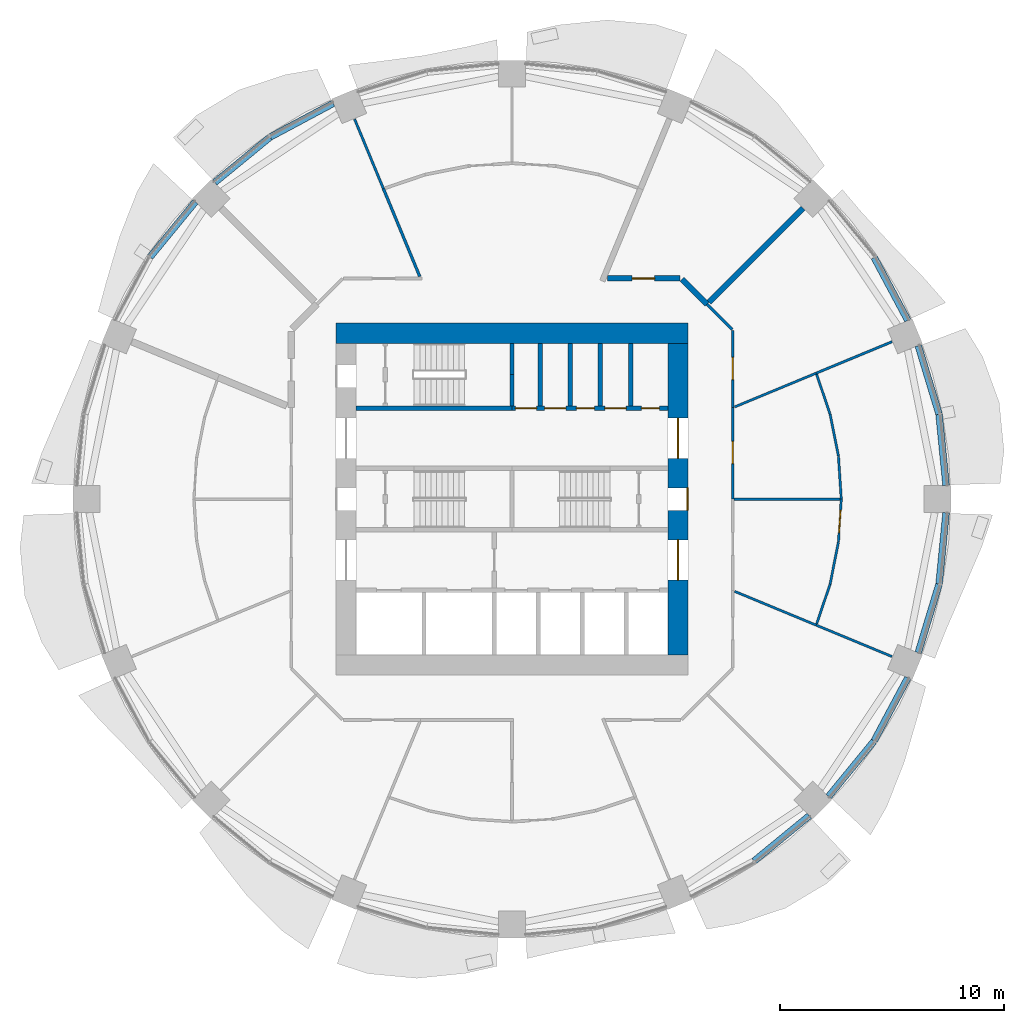
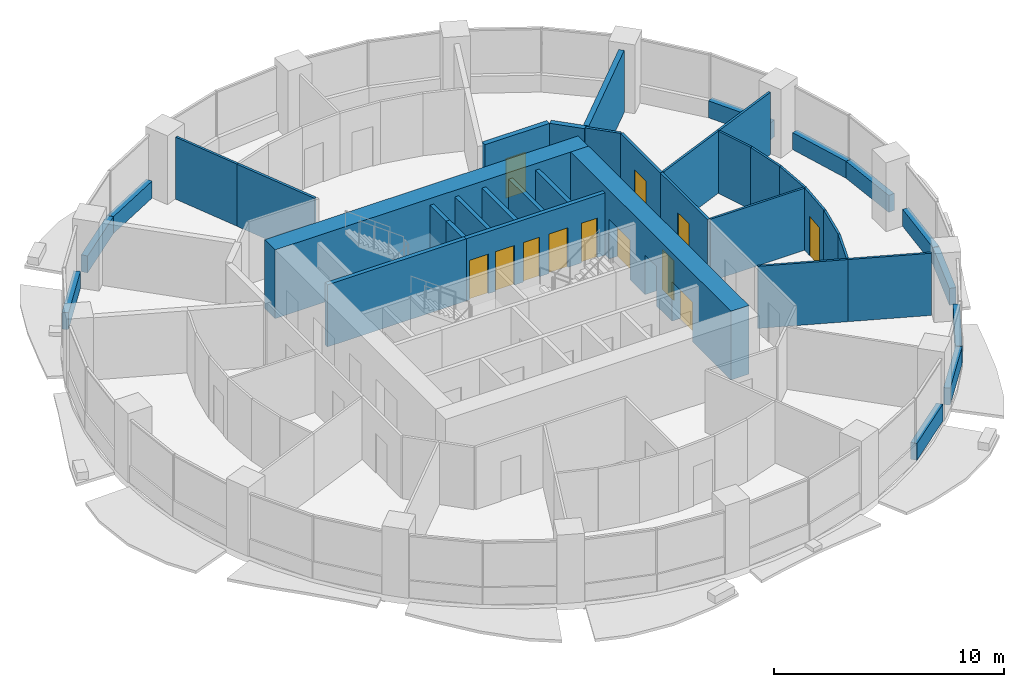
# One storey, part 10 of 15: 40 walls, 12 doors, 12 openings.
"""IFC4 building model written with IfcOpenShell, lengths in metres."""

from ifc_helpers import new_model, si_unit, direction, frame, frame_2d, origin, place, context, subcontext, project, spatial, rectangle, extrude, material, layer, layer_set, type_object, element, fill, save


model = new_model("IFC4")

# Units and contexts
model_context = context("Model", 3, precision=1e-05, world=origin(), true_north=direction((0.0, 1.0)))
body_context = subcontext(model_context, "Body", "Model", "MODEL_VIEW")
ifc_project = project(units=[si_unit("LENGTHUNIT", "METRE"), si_unit("AREAUNIT", "SQUARE_METRE"), si_unit("VOLUMEUNIT", "CUBIC_METRE"), si_unit("PLANEANGLEUNIT", "RADIAN"), si_unit("MASSUNIT", "GRAM", prefix="KILO")], contexts=[model_context])

# Site, building, storey
site_placement = place(None, origin())
site = spatial("IfcSite", under=ifc_project, at=site_placement, CompositionType="ELEMENT")
building_placement = place(site_placement, origin())
building = spatial("IfcBuilding", under=site, at=building_placement, Name="Polderwave Tower", CompositionType="ELEMENT")
storey_placement = place(building_placement, frame((0.0, 0.0, 48.10009765625)))
storey = spatial("IfcBuildingStorey", under=building, at=storey_placement, Name="L12", CompositionType="ELEMENT", Elevation=48.10009765625)

# Wall
ifc_material_1 = material(Name="Concrete C80/95", Category="concrete")
ifc_layer_1 = layer(ifc_material_1, 0.89990234375)
ifc_layer_set_1 = layer_set([ifc_layer_1], Name="CORE WALL 900 C80/95")
wall_type_1 = type_object("IfcWallType", Name="CORE WALL 900 C80/95", PredefinedType="SHEAR", material=ifc_layer_set_1)
wall_1_placement = place(storey_placement, frame((-7.8740234375, 7.424072265625, 0.0), z_axis=(0.0, 0.0, 1.0), x_axis=(1.0, 0.0, 0.0)))
element("IfcWall", 1, at=wall_1_placement, inside=storey, type_object=wall_type_1, Name="ST-CORE-L12-N", PredefinedType="SHEAR", context=body_context, shape_type="SweptSolid", body=[
    extrude(rectangle(XDim=15.748046875, YDim=0.89990234375, at=frame_2d((7.8740234375, 0.0))), origin(), (0.0, 0.0, 1.0), 3.64990234375),
])

# Wall, openings, doors
wall_2_placement = place(storey_placement, frame((7.424072265625, -6.97412109375, 0.0), z_axis=(0.0, 0.0, 1.0), x_axis=(0.0, 1.0, 0.0)))
wall_2 = element("IfcWall", 2, at=wall_2_placement, inside=storey, type_object=wall_type_1, Name="ST-CORE-L12-E", PredefinedType="SHEAR", context=body_context, shape_type="SweptSolid", body=[
    extrude(rectangle(XDim=13.9482421875, YDim=0.89990234375, at=frame_2d((6.97412109375, 0.0))), origin(), (0.0, 0.0, 1.0), 3.64990234375),
])
opening_1_placement = place(wall_2_placement, frame((6.47412109375, 0.0, 0.0)))
opening_1 = element("IfcOpeningElement", 3, at=opening_1_placement, cuts=wall_2, Name="Opening L12-D23", PredefinedType="OPENING", context=body_context, shape_type="SweptSolid", body=[
    extrude(rectangle(XDim=1.0, YDim=2.10009765625, at=frame_2d((0.5, 1.050048828125))), frame((0.0, 0.4599609375, 0.0), z_axis=(0.0, -1.0, 0.0), x_axis=(1.0, 0.0, 0.0)), (0.0, 0.0, 1.0), 0.919921875),
])
opening_2_placement = place(wall_2_placement, frame((3.349609375, 0.0, 0.0)))
opening_2 = element("IfcOpeningElement", 4, at=opening_2_placement, cuts=wall_2, Name="Opening L12-D24", PredefinedType="OPENING", context=body_context, shape_type="SweptSolid", body=[
    extrude(rectangle(XDim=1.800048828125, YDim=2.10009765625, at=frame_2d((0.89990234375, 1.050048828125))), frame((0.0, 0.4599609375, 0.0), z_axis=(0.0, -1.0, 0.0), x_axis=(1.0, 0.0, 0.0)), (0.0, 0.0, 1.0), 0.919921875),
])
opening_3_placement = place(wall_2_placement, frame((8.798583984375, 0.0, 0.0)))
opening_3 = element("IfcOpeningElement", 5, at=opening_3_placement, cuts=wall_2, Name="Opening L12-D25", PredefinedType="OPENING", context=body_context, shape_type="SweptSolid", body=[
    extrude(rectangle(XDim=1.800048828125, YDim=2.10009765625, at=frame_2d((0.89990234375, 1.050048828125))), frame((0.0, 0.4599609375, 0.0), z_axis=(0.0, -1.0, 0.0), x_axis=(1.0, 0.0, 0.0)), (0.0, 0.0, 1.0), 0.919921875),
])
ifc_material_2 = material(Name="Steel fire door", Category="steel")
door_type_1 = type_object("IfcDoorType", Name="Lobby entry door pair 1800", OperationType="DOUBLE_DOOR_SINGLE_SWING", PredefinedType="DOOR", material=ifc_material_2)
door_1_placement = place(opening_2_placement, frame((1.800048828125, 0.0, 0.0), z_axis=(0.0, 0.0, 1.0), x_axis=(-1.0, 0.0, 0.0)))
door_1 = element("IfcDoor", 6, at=door_1_placement, inside=storey, type_object=door_type_1, Name="South lobby entry door", OperationType="DOUBLE_DOOR_SINGLE_SWING", OverallHeight=2.10009765625, OverallWidth=1.800048828125, PredefinedType="DOOR", context=body_context, shape_type="SweptSolid", body=[
    extrude(rectangle(XDim=1.800048828125, YDim=2.10009765625, at=frame_2d((0.89990234375, 1.050048828125))), frame((0.0, 0.02490234375, 0.0), z_axis=(0.0, -1.0, 0.0), x_axis=(1.0, 0.0, 0.0)), (0.0, 0.0, 1.0), 0.050048828125),
])
fill(opening_2, door_1)
door_2_placement = place(opening_3_placement, frame((1.800048828125, 0.0, 0.0), z_axis=(0.0, 0.0, 1.0), x_axis=(-1.0, 0.0, 0.0)))
door_2 = element("IfcDoor", 7, at=door_2_placement, inside=storey, type_object=door_type_1, Name="North lobby entry door", OperationType="DOUBLE_DOOR_SINGLE_SWING", OverallHeight=2.10009765625, OverallWidth=1.800048828125, PredefinedType="DOOR", context=body_context, shape_type="SweptSolid", body=[
    extrude(rectangle(XDim=1.800048828125, YDim=2.10009765625, at=frame_2d((0.89990234375, 1.050048828125))), frame((0.0, 0.02490234375, 0.0), z_axis=(0.0, -1.0, 0.0), x_axis=(1.0, 0.0, 0.0)), (0.0, 0.0, 1.0), 0.050048828125),
])
fill(opening_3, door_2)
door_type_2 = type_object("IfcDoorType", Name="Stair door 1000", OperationType="NOTDEFINED", PredefinedType="DOOR", material=ifc_material_2)
door_3_placement = place(opening_1_placement, frame((1.0, 0.0, 0.0), z_axis=(0.0, 0.0, 1.0), x_axis=(-1.0, 0.0, 0.0)))
door_3 = element("IfcDoor", 8, at=door_3_placement, inside=storey, type_object=door_type_2, Name="Stair B entry door", OperationType="SINGLE_SWING_LEFT", OverallHeight=2.10009765625, OverallWidth=1.0, PredefinedType="DOOR", context=body_context, shape_type="SweptSolid", body=[
    extrude(rectangle(XDim=1.0, YDim=2.10009765625, at=frame_2d((0.5, 1.050048828125))), frame((0.0, 0.4501953125, 0.0), z_axis=(0.0, -1.0, 0.0), x_axis=(1.0, 0.0, 0.0)), (0.0, 0.0, 1.0), 0.050048828125),
])
fill(opening_1, door_3)

# Walls
ifc_material_3 = material(Name="Concrete C50/60 (board-marked)", Category="concrete")
ifc_layer_2 = layer(ifc_material_3, 0.300048828125)
ifc_layer_set_2 = layer_set([ifc_layer_2], Name="Concrete spandrel upstand C50/60")
wall_type_2 = type_object("IfcWallType", Name="Concrete spandrel upstand C50/60", PredefinedType="SOLIDWALL", material=ifc_layer_set_2)
wall_3_placement = place(storey_placement, frame((19.41943359375, 0.61279296875, 0.0), z_axis=(0.0, 0.0, 1.0), x_axis=(-0.097880808755, 0.995198144732, 0.0)))
element("IfcWall", 9, at=wall_3_placement, inside=storey, type_object=wall_type_2, Name="Spandrel L12 1a", PredefinedType="SOLIDWALL", context=body_context, shape_type="SweptSolid", body=[
    extrude(rectangle(XDim=3.187744140625, YDim=0.300048828125, at=frame_2d((1.59375, 0.0))), origin(), (0.0, 0.0, 1.0), 0.89990234375),
])
wall_4_placement = place(storey_placement, frame((19.1015625, 3.814453125, 0.0), z_axis=(0.0, 0.0, 1.0), x_axis=(-0.290585541792, 0.956849017819, 0.0)))
element("IfcWall", 10, at=wall_4_placement, inside=storey, type_object=wall_type_2, Name="Spandrel L12 1b", PredefinedType="SOLIDWALL", context=body_context, shape_type="SweptSolid", body=[
    extrude(rectangle(XDim=3.1875, YDim=0.300048828125, at=frame_2d((1.59375, 0.0))), origin(), (0.0, 0.0, 1.0), 0.89990234375),
])
for number, where, z_axis, x_axis, name in (
    (11, (17.705810546875, 7.998291015625, 0.0), (0.0, 0.0, 1.0), (-0.471260138764, 0.881994263934, 0.0), "Spandrel L12 2a"),
    (12, (-7.998291015625, 17.705810546875, 0.0), (0.0, 0.0, 1.0), (-0.881994263934, -0.471260138764, 0.0), "Spandrel L12 6a"),
):
    element("IfcWall", number, at=place(storey_placement, frame(where, z_axis=z_axis, x_axis=x_axis)), inside=storey, type_object=wall_type_2, Name=name, PredefinedType="SOLIDWALL", context=body_context, shape_type="SweptSolid", body=[
        extrude(rectangle(XDim=3.1865234375, YDim=0.300048828125, at=frame_2d((1.59326171875, 0.0))), origin(), (0.0, 0.0, 1.0), 0.89990234375),
    ])
for number, where, z_axis, x_axis, name in (
    (13, (-10.83349609375, 16.1875, 0.0), (0.0, 0.0, 1.0), (-0.773144618958, -0.634229767652, 0.0), "Spandrel L12 6b"),
    (14, (-14.16552734375, 13.29833984375, 0.0), (0.0, 0.0, 1.0), (-0.634229767652, -0.773144618958, 0.0), "Spandrel L12 7a"),
    (15, (10.83349609375, -16.1875, 0.0), (0.0, 0.0, 1.0), (0.773144618958, 0.634229767652, 0.0), "Spandrel L12 14b"),
    (16, (14.16552734375, -13.29833984375, 0.0), (0.0, 0.0, 1.0), (0.634229767652, 0.773144618958, 0.0), "Spandrel L12 15a"),
):
    element("IfcWall", number, at=place(storey_placement, frame(where, z_axis=z_axis, x_axis=x_axis)), inside=storey, type_object=wall_type_2, Name=name, PredefinedType="SOLIDWALL", context=body_context, shape_type="SweptSolid", body=[
        extrude(rectangle(XDim=3.18798828125, YDim=0.300048828125, at=frame_2d((1.593994140625, 0.0))), origin(), (0.0, 0.0, 1.0), 0.89990234375),
    ])
wall_5_placement = place(storey_placement, frame((16.2041015625, -10.808837890625, 0.0), z_axis=(0.0, 0.0, 1.0), x_axis=(0.471260138764, 0.881994263934, 0.0)))
element("IfcWall", 17, at=wall_5_placement, inside=storey, type_object=wall_type_2, Name="Spandrel L12 15b", PredefinedType="SOLIDWALL", context=body_context, shape_type="SweptSolid", body=[
    extrude(rectangle(XDim=3.1865234375, YDim=0.300048828125, at=frame_2d((1.59326171875, 0.0))), origin(), (0.0, 0.0, 1.0), 0.89990234375),
])
wall_6_placement = place(storey_placement, frame((18.17529296875, -6.864501953125, 0.0), z_axis=(0.0, 0.0, 1.0), x_axis=(0.290585541792, 0.956849017819, 0.0)))
element("IfcWall", 18, at=wall_6_placement, inside=storey, type_object=wall_type_2, Name="Spandrel L12 16a", PredefinedType="SOLIDWALL", context=body_context, shape_type="SweptSolid", body=[
    extrude(rectangle(XDim=3.1875, YDim=0.300048828125, at=frame_2d((1.59375, 0.0))), origin(), (0.0, 0.0, 1.0), 0.89990234375),
])
wall_7_placement = place(storey_placement, frame((19.107421875, -3.78515625, 0.0), z_axis=(0.0, 0.0, 1.0), x_axis=(0.097880808755, 0.995198144732, 0.0)))
element("IfcWall", 19, at=wall_7_placement, inside=storey, type_object=wall_type_2, Name="Spandrel L12 16b", PredefinedType="SOLIDWALL", context=body_context, shape_type="SweptSolid", body=[
    extrude(rectangle(XDim=3.187744140625, YDim=0.300048828125, at=frame_2d((1.59375, 0.0))), origin(), (0.0, 0.0, 1.0), 0.89990234375),
])
ifc_material_4 = material(Name="Gypsum board partition")
ifc_layer_3 = layer(ifc_material_4, 0.199951171875)
ifc_layer_set_3 = layer_set([ifc_layer_3], Name="Core room partition 200")
wall_type_3 = type_object("IfcWallType", Name="Core room partition 200", PredefinedType="PARTITIONING", material=ifc_layer_set_3)
for number, where, z_axis, x_axis, name in (
    (20, (1.260009765625, 4.174072265625, 0.0), (0.0, 0.0, 1.0), (0.0, 1.0, 0.0), "L12 room partition N1"),
    (21, (2.608642578125, 4.174072265625, 0.0), (0.0, 0.0, 1.0), (0.0, 1.0, 0.0), "L12 room partition N2"),
    (22, (3.95703125, 4.174072265625, 0.0), (0.0, 0.0, 1.0), (0.0, 1.0, 0.0), "L12 room partition N3"),
):
    element("IfcWall", number, at=place(storey_placement, frame(where, z_axis=z_axis, x_axis=x_axis)), inside=storey, type_object=wall_type_3, Name=name, PredefinedType="PARTITIONING", context=body_context, shape_type="SweptSolid", body=[
        extrude(rectangle(XDim=2.800048828125, YDim=0.199951171875, at=frame_2d((1.39990234375, 0.0))), origin(), (0.0, 0.0, 1.0), 3.2998046875),
    ])
ifc_material_5 = material(Name="Concrete C50/60", Category="concrete")
ifc_layer_4 = layer(ifc_material_5, 0.199951171875)
ifc_layer_set_4 = layer_set([ifc_layer_4], Name="Core web wall 200")
wall_type_4 = type_object("IfcWallType", Name="Core web wall 200", PredefinedType="SHEAR", material=ifc_layer_set_4)
wall_8_placement = place(storey_placement, frame((-6.97412109375, 4.073974609375, 0.0), z_axis=(0.0, 0.0, 1.0), x_axis=(1.0, 0.0, 0.0)))
element("IfcWall", 23, at=wall_8_placement, inside=storey, type_object=wall_type_4, Name="L12 north front wall 1", PredefinedType="SHEAR", context=body_context, shape_type="SweptSolid", body=[
    extrude(rectangle(XDim=6.97412109375, YDim=0.199951171875, at=frame_2d((3.487060546875, 0.0))), origin(), (0.0, 0.0, 1.0), 3.2998046875),
])

# Wall, openings, doors
wall_9_placement = place(storey_placement, frame((0.0, 4.073974609375, 0.0), z_axis=(0.0, 0.0, 1.0), x_axis=(1.0, 0.0, 0.0)))
wall_9 = element("IfcWall", 24, at=wall_9_placement, inside=storey, type_object=wall_type_4, Name="L12 north front wall 2", PredefinedType="SHEAR", context=body_context, shape_type="SweptSolid", body=[
    extrude(rectangle(XDim=6.97412109375, YDim=0.199951171875, at=frame_2d((3.487060546875, 0.0))), origin(), (0.0, 0.0, 1.0), 3.2998046875),
])
opening_4_placement = place(wall_9_placement, frame((0.155029296875, 0.0, 0.0)))
opening_4 = element("IfcOpeningElement", 25, at=opening_4_placement, cuts=wall_9, Name="Opening L12-D14", PredefinedType="OPENING", context=body_context, shape_type="SweptSolid", body=[
    extrude(rectangle(XDim=0.949951171875, YDim=2.10009765625, at=frame_2d((0.47509765625, 1.050048828125))), frame((0.0, 0.10986328125, 0.0), z_axis=(0.0, -1.0, 0.0), x_axis=(1.0, 0.0, 0.0)), (0.0, 0.0, 1.0), 0.219970703125),
])
opening_5_placement = place(wall_9_placement, frame((1.459228515625, 0.0, 0.0)))
opening_5 = element("IfcOpeningElement", 26, at=opening_5_placement, cuts=wall_9, Name="Opening L12-D15", PredefinedType="OPENING", context=body_context, shape_type="SweptSolid", body=[
    extrude(rectangle(XDim=0.949951171875, YDim=2.10009765625, at=frame_2d((0.47509765625, 1.050048828125))), frame((0.0, 0.10986328125, 0.0), z_axis=(0.0, -1.0, 0.0), x_axis=(1.0, 0.0, 0.0)), (0.0, 0.0, 1.0), 0.219970703125),
])
opening_6_placement = place(wall_9_placement, frame((2.8828125, 0.0, 0.0)))
opening_6 = element("IfcOpeningElement", 27, at=opening_6_placement, cuts=wall_9, Name="Opening L12-D16", PredefinedType="OPENING", context=body_context, shape_type="SweptSolid", body=[
    extrude(rectangle(XDim=0.800048828125, YDim=2.10009765625, at=frame_2d((0.39990234375, 1.050048828125))), frame((0.0, 0.10986328125, 0.0), z_axis=(0.0, -1.0, 0.0), x_axis=(1.0, 0.0, 0.0)), (0.0, 0.0, 1.0), 0.219970703125),
])
opening_7_placement = place(wall_9_placement, frame((4.15625, 0.0, 0.0)))
opening_7 = element("IfcOpeningElement", 28, at=opening_7_placement, cuts=wall_9, Name="Opening L12-D17", PredefinedType="OPENING", context=body_context, shape_type="SweptSolid", body=[
    extrude(rectangle(XDim=0.949951171875, YDim=2.10009765625, at=frame_2d((0.47509765625, 1.050048828125))), frame((0.0, 0.10986328125, 0.0), z_axis=(0.0, -1.0, 0.0), x_axis=(1.0, 0.0, 0.0)), (0.0, 0.0, 1.0), 0.219970703125),
])
opening_8_placement = place(wall_9_placement, frame((5.789794921875, 0.0, 0.0)))
opening_8 = element("IfcOpeningElement", 29, at=opening_8_placement, cuts=wall_9, Name="Opening L12-D18", PredefinedType="OPENING", context=body_context, shape_type="SweptSolid", body=[
    extrude(rectangle(XDim=0.800048828125, YDim=2.10009765625, at=frame_2d((0.39990234375, 1.050048828125))), frame((0.0, 0.10986328125, 0.0), z_axis=(0.0, -1.0, 0.0), x_axis=(1.0, 0.0, 0.0)), (0.0, 0.0, 1.0), 0.219970703125),
])
door_type_3 = type_object("IfcDoorType", Name="Riser door 800", OperationType="NOTDEFINED", PredefinedType="DOOR", material=ifc_material_2)
door_4_placement = place(opening_6_placement, frame((0.800048828125, 0.0, 0.0), z_axis=(0.0, 0.0, 1.0), x_axis=(-1.0, 0.0, 0.0)))
door_4 = element("IfcDoor", 30, at=door_4_placement, inside=storey, type_object=door_type_3, Name="Electrical room door", OperationType="SINGLE_SWING_RIGHT", OverallHeight=2.10009765625, OverallWidth=0.800048828125, PredefinedType="DOOR", context=body_context, shape_type="SweptSolid", body=[
    extrude(rectangle(XDim=0.800048828125, YDim=2.10009765625, at=frame_2d((0.39990234375, 1.050048828125))), frame((0.0, 0.02490234375, 0.0), z_axis=(0.0, -1.0, 0.0), x_axis=(1.0, 0.0, 0.0)), (0.0, 0.0, 1.0), 0.050048828125),
])
fill(opening_6, door_4)
door_5_placement = place(opening_8_placement, frame((0.800048828125, 0.0, 0.0), z_axis=(0.0, 0.0, 1.0), x_axis=(-1.0, 0.0, 0.0)))
door_5 = element("IfcDoor", 31, at=door_5_placement, inside=storey, type_object=door_type_3, Name="Riser door", OperationType="SINGLE_SWING_LEFT", OverallHeight=2.10009765625, OverallWidth=0.800048828125, PredefinedType="DOOR", context=body_context, shape_type="SweptSolid", body=[
    extrude(rectangle(XDim=0.800048828125, YDim=2.10009765625, at=frame_2d((0.39990234375, 1.050048828125))), frame((0.0, 0.02490234375, 0.0), z_axis=(0.0, -1.0, 0.0), x_axis=(1.0, 0.0, 0.0)), (0.0, 0.0, 1.0), 0.050048828125),
])
fill(opening_8, door_5)
ifc_material_6 = material(Name="Timber door leaf", Category="wood")
door_type_4 = type_object("IfcDoorType", Name="Room door 950", OperationType="NOTDEFINED", PredefinedType="DOOR", material=ifc_material_6)
door_6_placement = place(opening_4_placement, origin())
door_6 = element("IfcDoor", 32, at=door_6_placement, inside=storey, type_object=door_type_4, Name="Staff WC door", OperationType="SINGLE_SWING_LEFT", OverallHeight=2.10009765625, OverallWidth=0.949951171875, PredefinedType="DOOR", context=body_context, shape_type="SweptSolid", body=[
    extrude(rectangle(XDim=0.949951171875, YDim=2.10009765625, at=frame_2d((0.47509765625, 1.050048828125))), frame((0.0, 0.02490234375, 0.0), z_axis=(0.0, -1.0, 0.0), x_axis=(1.0, 0.0, 0.0)), (0.0, 0.0, 1.0), 0.050048828125),
])
fill(opening_4, door_6)
door_7_placement = place(opening_5_placement, origin())
door_7 = element("IfcDoor", 33, at=door_7_placement, inside=storey, type_object=door_type_4, Name="Refuse store door", OperationType="SINGLE_SWING_LEFT", OverallHeight=2.10009765625, OverallWidth=0.949951171875, PredefinedType="DOOR", context=body_context, shape_type="SweptSolid", body=[
    extrude(rectangle(XDim=0.949951171875, YDim=2.10009765625, at=frame_2d((0.47509765625, 1.050048828125))), frame((0.0, 0.02490234375, 0.0), z_axis=(0.0, -1.0, 0.0), x_axis=(1.0, 0.0, 0.0)), (0.0, 0.0, 1.0), 0.050048828125),
])
fill(opening_5, door_7)
door_8_placement = place(opening_7_placement, origin())
door_8 = element("IfcDoor", 34, at=door_8_placement, inside=storey, type_object=door_type_4, Name="Seed store door", OperationType="SINGLE_SWING_RIGHT", OverallHeight=2.10009765625, OverallWidth=0.949951171875, PredefinedType="DOOR", context=body_context, shape_type="SweptSolid", body=[
    extrude(rectangle(XDim=0.949951171875, YDim=2.10009765625, at=frame_2d((0.47509765625, 1.050048828125))), frame((0.0, 0.02490234375, 0.0), z_axis=(0.0, -1.0, 0.0), x_axis=(1.0, 0.0, 0.0)), (0.0, 0.0, 1.0), 0.050048828125),
])
fill(opening_7, door_8)

# Walls
wall_10_placement = place(storey_placement, frame((0.0, 4.174072265625, 0.0), z_axis=(0.0, 0.0, 1.0), x_axis=(0.0, 1.0, 0.0)))
element("IfcWall", 35, at=wall_10_placement, inside=storey, type_object=wall_type_4, Name="L12 stair C wall south", PredefinedType="SHEAR", context=body_context, shape_type="SweptSolid", body=[
    extrude(rectangle(XDim=1.39990234375, YDim=0.199951171875, at=frame_2d((0.699951171875, 0.0))), origin(), (0.0, 0.0, 1.0), 3.2998046875),
])
wall_11_placement = place(storey_placement, frame((0.0, 5.573974609375, 0.0), z_axis=(0.0, 0.0, 1.0), x_axis=(0.0, 1.0, 0.0)))
element("IfcWall", 36, at=wall_11_placement, inside=storey, type_object=wall_type_4, Name="L12 stair C wall north", PredefinedType="SHEAR", context=body_context, shape_type="SweptSolid", body=[
    extrude(rectangle(XDim=1.400146484375, YDim=0.199951171875, at=frame_2d((0.7001953125, 0.0))), origin(), (0.0, 0.0, 1.0), 3.2998046875),
])

# Wall, opening, door
ifc_material_7 = material(Name="Fire-resisting board on steel studs", Category="steel")
ifc_layer_5 = layer(ifc_material_7, 0.125)
ifc_layer_set_5 = layer_set([ifc_layer_5], Name="Corridor wall 125 mm EI 60")
wall_type_5 = type_object("IfcWallType", Name="Corridor wall 125 mm EI 60", PredefinedType="PARTITIONING", material=ifc_layer_set_5)
wall_12_placement = place(storey_placement, frame((9.8740234375, 4.08984375, 0.0), z_axis=(0.0, 0.0, 1.0), x_axis=(0.0, -1.0, 0.0)))
wall_12 = element("IfcWall", 37, at=wall_12_placement, inside=storey, type_object=wall_type_5, Name="IN-L12-W001", PredefinedType="PARTITIONING", context=body_context, shape_type="SweptSolid", body=[
    extrude(rectangle(XDim=4.08984375, YDim=0.125, at=frame_2d((2.044921875, 0.0))), origin(), (0.0, 0.0, 1.0), 3.2998046875),
])
opening_9_placement = place(wall_12_placement, frame((1.5, 0.0, 0.0)))
opening_9 = element("IfcOpeningElement", 38, at=opening_9_placement, cuts=wall_12, Name="Opening L12-D50", PredefinedType="OPENING", context=body_context, shape_type="SweptSolid", body=[
    extrude(rectangle(XDim=1.0, YDim=2.10009765625, at=frame_2d((0.5, 1.050048828125))), frame((0.0, 0.072509765625, 0.0), z_axis=(0.0, -1.0, 0.0), x_axis=(1.0, 0.0, 0.0)), (0.0, 0.0, 1.0), 0.14501953125),
])
ifc_material_8 = material(Name="Timber fire door leaf", Category="wood")
door_type_5 = type_object("IfcDoorType", Name="Fire door FD30S 1000 x 2100", OperationType="NOTDEFINED", PredefinedType="DOOR", material=ifc_material_8)
door_9_placement = place(opening_9_placement, origin())
door_9 = element("IfcDoor", 39, at=door_9_placement, inside=storey, type_object=door_type_5, Name="Door L12-D50", OperationType="SINGLE_SWING_LEFT", OverallHeight=2.10009765625, OverallWidth=1.0, PredefinedType="DOOR", context=body_context, shape_type="SweptSolid", body=[
    extrude(rectangle(XDim=1.0, YDim=2.10009765625, at=frame_2d((0.5, 1.050048828125))), frame((0.0, 0.02490234375, 0.0), z_axis=(0.0, -1.0, 0.0), x_axis=(1.0, 0.0, 0.0)), (0.0, 0.0, 1.0), 0.050048828125),
])
fill(opening_9, door_9)

# Wall
wall_13_placement = place(storey_placement, frame((8.722412109375, 8.722412109375, 0.0), z_axis=(0.0, 0.0, 1.0), x_axis=(0.70718294931, -0.707030604857, 0.0)))
element("IfcWall", 40, at=wall_13_placement, inside=storey, type_object=wall_type_5, Name="IN-L12-W002", PredefinedType="PARTITIONING", context=body_context, shape_type="SweptSolid", body=[
    extrude(rectangle(XDim=1.6025390625, YDim=0.125, at=frame_2d((0.80126953125, 0.0))), origin(), (0.0, 0.0, 1.0), 3.2998046875),
])

# Wall, opening, door
wall_14_placement = place(storey_placement, frame((9.8740234375, 7.545166015625, 0.0), z_axis=(0.0, 0.0, 1.0), x_axis=(0.0, -1.0, 0.0)))
wall_14 = element("IfcWall", 41, at=wall_14_placement, inside=storey, type_object=wall_type_5, Name="IN-L12-W003", PredefinedType="PARTITIONING", context=body_context, shape_type="SweptSolid", body=[
    extrude(rectangle(XDim=3.455322265625, YDim=0.125, at=frame_2d((1.7275390625, 0.0))), origin(), (0.0, 0.0, 1.0), 3.2998046875),
])
opening_10_placement = place(wall_14_placement, frame((1.199951171875, 0.0, 0.0)))
opening_10 = element("IfcOpeningElement", 42, at=opening_10_placement, cuts=wall_14, Name="Opening L12-D51", PredefinedType="OPENING", context=body_context, shape_type="SweptSolid", body=[
    extrude(rectangle(XDim=1.0, YDim=2.10009765625, at=frame_2d((0.5, 1.050048828125))), frame((0.0, 0.072509765625, 0.0), z_axis=(0.0, -1.0, 0.0), x_axis=(1.0, 0.0, 0.0)), (0.0, 0.0, 1.0), 0.14501953125),
])
door_10_placement = place(opening_10_placement, origin())
door_10 = element("IfcDoor", 43, at=door_10_placement, inside=storey, type_object=door_type_5, Name="Door L12-D51", OperationType="SINGLE_SWING_LEFT", OverallHeight=2.10009765625, OverallWidth=1.0, PredefinedType="DOOR", context=body_context, shape_type="SweptSolid", body=[
    extrude(rectangle(XDim=1.0, YDim=2.10009765625, at=frame_2d((0.5, 1.050048828125))), frame((0.0, 0.02490234375, 0.0), z_axis=(0.0, -1.0, 0.0), x_axis=(1.0, 0.0, 0.0)), (0.0, 0.0, 1.0), 0.050048828125),
])
fill(opening_10, door_10)

# Walls
wall_15_placement = place(storey_placement, frame((-4.125732421875, 9.96044921875, 0.0), z_axis=(0.0, 0.0, 1.0), x_axis=(-0.382676572561, 0.923882373905, 0.0)))
element("IfcWall", 44, at=wall_15_placement, inside=storey, type_object=wall_type_5, Name="IN-L12-W042", PredefinedType="PARTITIONING", context=body_context, shape_type="SweptSolid", body=[
    extrude(rectangle(XDim=4.2490234375, YDim=0.125, at=frame_2d((2.12451171875, 0.0))), origin(), (0.0, 0.0, 1.0), 3.2998046875),
])
ifc_material_9 = material(Name="Moisture-resistant board on steel studs, tiled", Category="steel")
ifc_layer_6 = layer(ifc_material_9, 0.10498046875)
ifc_layer_set_6 = layer_set([ifc_layer_6], Name="Partition 105 mm wet room board and tile")
wall_type_6 = type_object("IfcWallType", Name="Partition 105 mm wet room board and tile", PredefinedType="PARTITIONING", material=ifc_layer_set_6)
wall_16_placement = place(storey_placement, frame((14.22705078125, 3.815673828125, 0.0), z_axis=(0.0, 0.0, 1.0), x_axis=(-0.321447308071, 0.946927467198, 0.0)))
element("IfcWall", 45, at=wall_16_placement, inside=storey, type_object=wall_type_6, Name="IN-L12-W022", PredefinedType="PARTITIONING", context=body_context, shape_type="SweptSolid", body=[
    extrude(rectangle(XDim=1.864501953125, YDim=0.10498046875, at=frame_2d((0.93212890625, 0.0))), origin(), (0.0, 0.0, 1.0), 3.2998046875),
])
wall_17_placement = place(storey_placement, frame((14.603271484375, 1.926025390625, 0.0), z_axis=(0.0, 0.0, 1.0), x_axis=(-0.195064501273, 0.980790416115, 0.0)))
element("IfcWall", 46, at=wall_17_placement, inside=storey, type_object=wall_type_6, Name="IN-L12-W023", PredefinedType="PARTITIONING", context=body_context, shape_type="SweptSolid", body=[
    extrude(rectangle(XDim=1.919921875, YDim=0.10498046875, at=frame_2d((0.9599609375, 0.0))), origin(), (0.0, 0.0, 1.0), 3.2998046875),
])
wall_18_placement = place(storey_placement, frame((14.72998046875, 0.0, 0.0), z_axis=(0.0, 0.0, 1.0), x_axis=(-0.065373153171, 0.997860887521, 0.0)))
element("IfcWall", 47, at=wall_18_placement, inside=storey, type_object=wall_type_6, Name="IN-L12-W024", PredefinedType="PARTITIONING", context=body_context, shape_type="SweptSolid", body=[
    extrude(rectangle(XDim=1.92333984375, YDim=0.10498046875, at=frame_2d((0.961669921875, 0.0))), origin(), (0.0, 0.0, 1.0), 3.2998046875),
])
wall_19_placement = place(storey_placement, frame((16.99951171875, -7.04150390625, 0.0), z_axis=(0.0, 0.0, 1.0), x_axis=(-0.923870076355, 0.382706260748, 0.0)))
element("IfcWall", 48, at=wall_19_placement, inside=storey, type_object=wall_type_6, Name="IN-L12-W026", PredefinedType="PARTITIONING", context=body_context, shape_type="SweptSolid", body=[
    extrude(rectangle(XDim=3.669921875, YDim=0.10498046875, at=frame_2d((1.8349609375, 0.0))), origin(), (0.0, 0.0, 1.0), 3.2998046875),
])
wall_20_placement = place(storey_placement, frame((13.626708984375, -5.583740234375, 0.0), z_axis=(0.0, 0.0, 1.0), x_axis=(0.321518280944, 0.946903371532, 0.0)))
element("IfcWall", 49, at=wall_20_placement, inside=storey, type_object=wall_type_6, Name="IN-L12-W027", PredefinedType="PARTITIONING", context=body_context, shape_type="SweptSolid", body=[
    extrude(rectangle(XDim=1.8671875, YDim=0.10498046875, at=frame_2d((0.93359375, 0.0))), origin(), (0.0, 0.0, 1.0), 3.2998046875),
])
wall_21_placement = place(storey_placement, frame((14.228759765625, -3.80908203125, 0.0), z_axis=(0.0, 0.0, 1.0), x_axis=(0.195064501273, 0.980790416115, 0.0)))
element("IfcWall", 50, at=wall_21_placement, inside=storey, type_object=wall_type_6, Name="IN-L12-W028", PredefinedType="PARTITIONING", context=body_context, shape_type="SweptSolid", body=[
    extrude(rectangle(XDim=1.919921875, YDim=0.10498046875, at=frame_2d((0.9599609375, 0.0))), origin(), (0.0, 0.0, 1.0), 3.2998046875),
])

# Wall, opening, door
wall_22_placement = place(storey_placement, frame((14.72998046875, 0.0, 0.0), z_axis=(0.0, 0.0, 1.0), x_axis=(-0.065373153171, -0.997860887521, 0.0)))
wall_22 = element("IfcWall", 51, at=wall_22_placement, inside=storey, type_object=wall_type_6, Name="IN-L12-W029", PredefinedType="PARTITIONING", context=body_context, shape_type="SweptSolid", body=[
    extrude(rectangle(XDim=1.92333984375, YDim=0.10498046875, at=frame_2d((0.961669921875, 0.0))), origin(), (0.0, 0.0, 1.0), 3.2998046875),
])
opening_11_placement = place(wall_22_placement, frame((0.5, 0.0, 0.0)))
opening_11 = element("IfcOpeningElement", 52, at=opening_11_placement, cuts=wall_22, Name="Opening L12-D62", PredefinedType="OPENING", context=body_context, shape_type="SweptSolid", body=[
    extrude(rectangle(XDim=1.0, YDim=2.10009765625, at=frame_2d((0.5, 1.050048828125))), frame((0.0, 0.0625, 0.0), z_axis=(0.0, -1.0, 0.0), x_axis=(1.0, 0.0, 0.0)), (0.0, 0.0, 1.0), 0.125),
])
ifc_material_10 = material(Name="Timber veneer door leaf", Category="wood")
door_type_6 = type_object("IfcDoorType", Name="Single door 1000 x 2100", OperationType="NOTDEFINED", PredefinedType="DOOR", material=ifc_material_10)
door_11_placement = place(opening_11_placement, origin())
door_11 = element("IfcDoor", 53, at=door_11_placement, inside=storey, type_object=door_type_6, Name="Door L12-D62", OperationType="SINGLE_SWING_RIGHT", OverallHeight=2.10009765625, OverallWidth=1.0, PredefinedType="DOOR", context=body_context, shape_type="SweptSolid", body=[
    extrude(rectangle(XDim=1.0, YDim=2.10009765625, at=frame_2d((0.5, 1.050048828125))), frame((0.0, 0.02490234375, 0.0), z_axis=(0.0, -1.0, 0.0), x_axis=(1.0, 0.0, 0.0)), (0.0, 0.0, 1.0), 0.050048828125),
])
fill(opening_11, door_11)

# Walls
wall_23_placement = place(storey_placement, frame((9.95654296875, 4.1240234375, 0.0), z_axis=(0.0, 0.0, 1.0), x_axis=(0.923862514877, 0.382724513985, 0.0)))
element("IfcWall", 54, at=wall_23_placement, inside=storey, type_object=wall_type_6, Name="IN-L12-W030", PredefinedType="PARTITIONING", context=body_context, shape_type="SweptSolid", body=[
    extrude(rectangle(XDim=3.953125, YDim=0.10498046875, at=frame_2d((1.9765625, 0.0))), origin(), (0.0, 0.0, 1.0), 3.2998046875),
])
wall_24_placement = place(storey_placement, frame((14.673828125, 0.0, 0.0), z_axis=(0.0, 0.0, 1.0), x_axis=(-1.0, 0.0, 0.0)))
element("IfcWall", 55, at=wall_24_placement, inside=storey, type_object=wall_type_6, Name="IN-L12-W031", PredefinedType="PARTITIONING", context=body_context, shape_type="SweptSolid", body=[
    extrude(rectangle(XDim=4.7373046875, YDim=0.10498046875, at=frame_2d((2.36865234375, 0.0))), origin(), (0.0, 0.0, 1.0), 3.2998046875),
])
wall_25_placement = place(storey_placement, frame((9.95654296875, -4.1240234375, 0.0), z_axis=(0.0, 0.0, 1.0), x_axis=(0.923871560536, -0.38270267785, 0.0)))
element("IfcWall", 56, at=wall_25_placement, inside=storey, type_object=wall_type_6, Name="IN-L12-W069", PredefinedType="PARTITIONING", context=body_context, shape_type="SweptSolid", body=[
    extrude(rectangle(XDim=3.953369140625, YDim=0.10498046875, at=frame_2d((1.9765625, 0.0))), origin(), (0.0, 0.0, 1.0), 3.2998046875),
])
ifc_material_11 = material(Name="Acoustic double plasterboard on steel studs", Category="steel")
ifc_layer_7 = layer(ifc_material_11, 0.110107421875)
ifc_layer_set_7 = layer_set([ifc_layer_7], Name="Partition 110 mm acoustic double board")
wall_type_7 = type_object("IfcWallType", Name="Partition 110 mm acoustic double board", PredefinedType="PARTITIONING", material=ifc_layer_set_7)
wall_26_placement = place(storey_placement, frame((13.60888671875, 5.636962890625, 0.0), z_axis=(0.0, 0.0, 1.0), x_axis=(0.923870076355, 0.382706260748, 0.0)))
element("IfcWall", 57, at=wall_26_placement, inside=storey, type_object=wall_type_7, Name="IN-L12-W025", PredefinedType="PARTITIONING", context=body_context, shape_type="SweptSolid", body=[
    extrude(rectangle(XDim=3.669921875, YDim=0.110107421875, at=frame_2d((1.8349609375, 0.0))), origin(), (0.0, 0.0, 1.0), 3.2998046875),
])
wall_27_placement = place(storey_placement, frame((-5.751708984375, 13.885986328125, 0.0), z_axis=(0.0, 0.0, 1.0), x_axis=(-0.382716478617, 0.923865843613, 0.0)))
element("IfcWall", 58, at=wall_27_placement, inside=storey, type_object=wall_type_7, Name="IN-L12-W043", PredefinedType="PARTITIONING", context=body_context, shape_type="SweptSolid", body=[
    extrude(rectangle(XDim=3.3701171875, YDim=0.110107421875, at=frame_2d((1.68505859375, 0.0))), origin(), (0.0, 0.0, 1.0), 3.2998046875),
])

# Wall, opening, door
ifc_material_12 = material(Name="Fire-resisting board on steel studs, mineral wool", Category="steel")
ifc_layer_8 = layer(ifc_material_12, 0.25)
ifc_layer_set_8 = layer_set([ifc_layer_8], Name="Plant room wall 250 mm EI 120")
wall_type_8 = type_object("IfcWallType", Name="Plant room wall 250 mm EI 120", PredefinedType="PARTITIONING", material=ifc_layer_set_8)
wall_28_placement = place(storey_placement, frame((4.277099609375, 9.8740234375, 0.0), z_axis=(0.0, 0.0, 1.0), x_axis=(1.0, 0.0, 0.0)))
wall_28 = element("IfcWall", 59, at=wall_28_placement, inside=storey, type_object=wall_type_8, Name="IN-L12-W007", PredefinedType="PARTITIONING", context=body_context, shape_type="SweptSolid", body=[
    extrude(rectangle(XDim=3.2421875, YDim=0.25, at=frame_2d((1.62109375, 0.0))), origin(), (0.0, 0.0, 1.0), 3.2998046875),
])
opening_12_placement = place(wall_28_placement, frame((1.10009765625, 0.0, 0.0)))
opening_12 = element("IfcOpeningElement", 60, at=opening_12_placement, cuts=wall_28, Name="Opening L12-D54", PredefinedType="OPENING", context=body_context, shape_type="SweptSolid", body=[
    extrude(rectangle(XDim=1.0, YDim=2.10009765625, at=frame_2d((0.5, 1.050048828125))), frame((0.0, 0.135009765625, 0.0), z_axis=(0.0, -1.0, 0.0), x_axis=(1.0, 0.0, 0.0)), (0.0, 0.0, 1.0), 0.27001953125),
])
ifc_material_13 = material(Name="Steel plant door leaf", Category="steel")
door_type_7 = type_object("IfcDoorType", Name="Plant door FD60 1000 x 2100 steel", OperationType="NOTDEFINED", PredefinedType="DOOR", material=ifc_material_13)
door_12_placement = place(opening_12_placement, origin())
door_12 = element("IfcDoor", 61, at=door_12_placement, inside=storey, type_object=door_type_7, Name="Door L12-D54", OperationType="SINGLE_SWING_LEFT", OverallHeight=2.10009765625, OverallWidth=1.0, PredefinedType="DOOR", context=body_context, shape_type="SweptSolid", body=[
    extrude(rectangle(XDim=1.0, YDim=2.10009765625, at=frame_2d((0.5, 1.050048828125))), frame((0.0, 0.02490234375, 0.0), z_axis=(0.0, -1.0, 0.0), x_axis=(1.0, 0.0, 0.0)), (0.0, 0.0, 1.0), 0.050048828125),
])
fill(opening_12, door_12)

# Walls
wall_29_placement = place(storey_placement, frame((7.607666015625, 9.83740234375, 0.0), z_axis=(0.0, 0.0, 1.0), x_axis=(0.707029353672, -0.707184200224, 0.0)))
element("IfcWall", 62, at=wall_29_placement, inside=storey, type_object=wall_type_8, Name="IN-L12-W008", PredefinedType="PARTITIONING", context=body_context, shape_type="SweptSolid", body=[
    extrude(rectangle(XDim=1.57666015625, YDim=0.25, at=frame_2d((0.788330078125, 0.0))), origin(), (0.0, 0.0, 1.0), 3.2998046875),
])
wall_30_placement = place(storey_placement, frame((13.0107421875, 13.0107421875, 0.0), z_axis=(0.0, 0.0, 1.0), x_axis=(-0.707106781187, -0.707106781187, 0.0)))
element("IfcWall", 63, at=wall_30_placement, inside=storey, type_object=wall_type_8, Name="IN-L12-W032", PredefinedType="PARTITIONING", context=body_context, shape_type="SweptSolid", body=[
    extrude(rectangle(XDim=5.939697265625, YDim=0.25, at=frame_2d((2.9697265625, 0.0))), origin(), (0.0, 0.0, 1.0), 3.2998046875),
])
ifc_material_14 = material(Name="Gypsum shaft wall system")
ifc_layer_9 = layer(ifc_material_14, 0.199951171875)
ifc_layer_set_9 = layer_set([ifc_layer_9], Name="Shaft wall 200")
wall_type_9 = type_object("IfcWallType", Name="Shaft wall 200", PredefinedType="PARTITIONING", material=ifc_layer_set_9)
wall_31_placement = place(storey_placement, frame((5.305419921875, 4.174072265625, 0.0), z_axis=(0.0, 0.0, 1.0), x_axis=(0.0, 1.0, 0.0)))
element("IfcWall", 64, at=wall_31_placement, inside=storey, type_object=wall_type_9, Name="L12 riser wall", PredefinedType="PARTITIONING", context=body_context, shape_type="SweptSolid", body=[
    extrude(rectangle(XDim=2.800048828125, YDim=0.199951171875, at=frame_2d((1.39990234375, 0.0))), origin(), (0.0, 0.0, 1.0), 3.2998046875),
])

save(model, "model.ifc")
